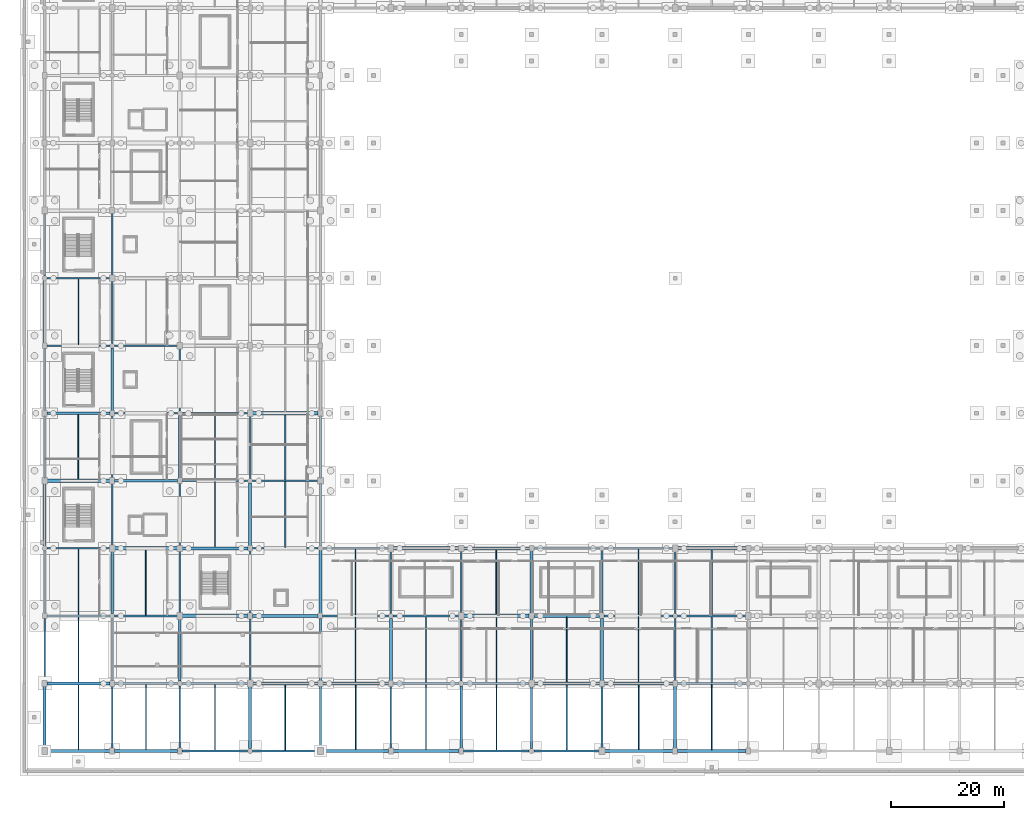
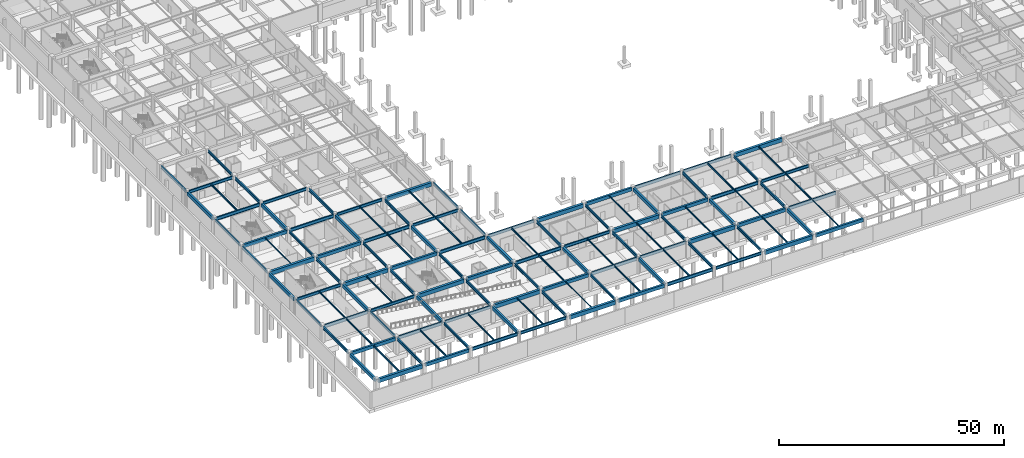
# One storey, part 16 of 56: 127 beams.
"""IFC4 building model written with IfcOpenShell, lengths in metres."""

from ifc_helpers import new_model, si_unit, direction, frame, origin, origin_2d, place, context, subcontext, project, spatial, rectangle, i_section, extrude, material, material_profile, profile_set, type_object, element, save


model = new_model("IFC4")

# Units and contexts
model_context = context("Model", 3, precision=1e-05, world=origin(), true_north=direction((0.0, 1.0)))
body_context = subcontext(model_context, "Body", "Model", "MODEL_VIEW")
ifc_project = project(units=[si_unit("LENGTHUNIT", "METRE"), si_unit("AREAUNIT", "SQUARE_METRE"), si_unit("VOLUMEUNIT", "CUBIC_METRE"), si_unit("PLANEANGLEUNIT", "RADIAN"), si_unit("MASSUNIT", "GRAM", prefix="KILO")], contexts=[model_context])

# Site, building, storey
site_placement = place(None, origin())
site = spatial("IfcSite", under=ifc_project, at=site_placement, CompositionType="ELEMENT")
building_placement = place(site_placement, origin())
building = spatial("IfcBuilding", under=site, at=building_placement, Name="Kazenohara Klinker Stadium", CompositionType="ELEMENT")
storey_placement = place(building_placement, frame((0.0, 0.0, -4.800048828125)))
storey = spatial("IfcBuildingStorey", under=building, at=storey_placement, Name="B01", CompositionType="ELEMENT", Elevation=-4.800048828125)

# Beams
ifc_material_1 = material(Name="Steel S355", Category="steel")
ifc_material_profile_1 = material_profile(ifc_material_1, i_section(OverallWidth=0.199951171875, OverallDepth=0.5, WebThickness=0.010009765625, FlangeThickness=0.01611328125, FilletRadius=0.012939453125, at=origin_2d()), Name="H-500x200x10x16")
ifc_profile_set_1 = profile_set([ifc_material_profile_1], Name="Steel S355")
beam_type_1 = type_object("IfcBeamType", Name="BM-JST01", PredefinedType="JOIST", material=ifc_profile_set_1)
beam_1_placement = place(storey_placement, frame((6.0, 0.300048828125, 4.2099609375), z_axis=(0.0, 1.0, 0.0), x_axis=(-1.0, 0.0, 0.0)))
element("IfcBeam", 1, at=beam_1_placement, inside=storey, type_object=beam_type_1, Name="Secondary floor joist SJ01 B01 1/A", PredefinedType="JOIST", context=body_context, shape_type="SweptSolid", body=[
    extrude(i_section(OverallWidth=0.199951171875, OverallDepth=0.5, WebThickness=0.010009765625, FlangeThickness=0.01611328125, FilletRadius=0.012939453125, at=origin_2d()), origin(), (0.0, 0.0, 1.0), 11.449951171875),
])
for number, where, z_axis, x_axis, name in (
    (2, (30.25, 36.25, 4.2099609375), (0.0, 1.0, 0.0), (-1.0, 0.0, 0.0), "Secondary floor joist SJ01 B01 3/D"),
    (3, (55.25, 12.25, 4.2099609375), (0.0, 1.0, 0.0), (-1.0, 0.0, 0.0), "Secondary floor joist SJ01 B01 5/B"),
    (4, (67.75, 0.25, 4.2099609375), (0.0, 1.0, 0.0), (-1.0, 0.0, 0.0), "Secondary floor joist SJ01 B01 6/A"),
):
    element("IfcBeam", number, at=place(storey_placement, frame(where, z_axis=z_axis, x_axis=x_axis)), inside=storey, type_object=beam_type_1, Name=name, PredefinedType="JOIST", context=body_context, shape_type="SweptSolid", body=[
        extrude(i_section(OverallWidth=0.199951171875, OverallDepth=0.5, WebThickness=0.010009765625, FlangeThickness=0.01611328125, FilletRadius=0.012939453125, at=origin_2d()), origin(), (0.0, 0.0, 1.0), 11.60009765625),
    ])
for number, where, z_axis, x_axis, name in (
    (5, (105.5, 24.14990234375, 4.2099609375), (0.0, 1.0, 0.0), (-1.0, 0.0, 0.0), "Secondary floor joist SJ01 B01 9/C"),
    (6, (118.5, 12.14990234375, 4.2099609375), (0.0, 1.0, 0.0), (-1.0, 0.0, 0.0), "Secondary floor joist SJ01 B01 10/B"),
):
    element("IfcBeam", number, at=place(storey_placement, frame(where, z_axis=z_axis, x_axis=x_axis)), inside=storey, type_object=beam_type_1, Name=name, PredefinedType="JOIST", context=body_context, shape_type="SweptSolid", body=[
        extrude(i_section(OverallWidth=0.199951171875, OverallDepth=0.5, WebThickness=0.010009765625, FlangeThickness=0.01611328125, FilletRadius=0.012939453125, at=origin_2d()), origin(), (0.0, 0.0, 1.0), 11.7001953125),
    ])
ifc_material_profile_2 = material_profile(ifc_material_1, i_section(OverallWidth=0.199951171875, OverallDepth=0.449951171875, WebThickness=0.009033203125, FlangeThickness=0.013916015625, FilletRadius=0.012939453125, at=origin_2d()), Name="H-450x200x9x14")
ifc_profile_set_2 = profile_set([ifc_material_profile_2], Name="Steel S355")
beam_type_2 = type_object("IfcBeamType", Name="BM-JST02", PredefinedType="JOIST", material=ifc_profile_set_2)
beam_2_placement = place(storey_placement, frame((6.0, 12.25, 4.235107421875), z_axis=(0.0, 1.0, 0.0), x_axis=(-1.0, 0.0, 0.0)))
element("IfcBeam", 7, at=beam_2_placement, inside=storey, type_object=beam_type_2, Name="Secondary floor joist SJ02 B01 1/B", PredefinedType="JOIST", context=body_context, shape_type="SweptSolid", body=[
    extrude(i_section(OverallWidth=0.199951171875, OverallDepth=0.449951171875, WebThickness=0.009033203125, FlangeThickness=0.013916015625, FilletRadius=0.012939453125, at=origin_2d()), origin(), (0.0, 0.0, 1.0), 11.60009765625),
])
beam_3_placement = place(storey_placement, frame((6.0, 72.14990234375, 4.235107421875), z_axis=(0.0, 1.0, 0.0), x_axis=(-1.0, 0.0, 0.0)))
element("IfcBeam", 8, at=beam_3_placement, inside=storey, type_object=beam_type_2, Name="Secondary floor joist SJ02 B01 1/G", PredefinedType="JOIST", context=body_context, shape_type="SweptSolid", body=[
    extrude(i_section(OverallWidth=0.199951171875, OverallDepth=0.449951171875, WebThickness=0.009033203125, FlangeThickness=0.013916015625, FilletRadius=0.012939453125, at=origin_2d()), origin(), (0.0, 0.0, 1.0), 11.7001953125),
])
beam_4_placement = place(storey_placement, frame((18.0, 0.25, 4.235107421875), z_axis=(0.0, 1.0, 0.0), x_axis=(-1.0, 0.0, 0.0)))
element("IfcBeam", 9, at=beam_4_placement, inside=storey, type_object=beam_type_2, Name="Secondary floor joist SJ02 B01 2/A", PredefinedType="JOIST", context=body_context, shape_type="SweptSolid", body=[
    extrude(i_section(OverallWidth=0.199951171875, OverallDepth=0.449951171875, WebThickness=0.009033203125, FlangeThickness=0.013916015625, FilletRadius=0.012939453125, at=origin_2d()), origin(), (0.0, 0.0, 1.0), 11.60009765625),
])
for number, where, z_axis, x_axis, name in (
    (10, (30.25, 48.14990234375, 4.235107421875), (0.0, 1.0, 0.0), (-1.0, 0.0, 0.0), "Secondary floor joist SJ02 B01 3/E"),
    (11, (42.75, 36.14990234375, 4.235107421875), (0.0, 1.0, 0.0), (-1.0, 0.0, 0.0), "Secondary floor joist SJ02 B01 4/D"),
    (12, (55.25, 24.14990234375, 4.235107421875), (0.0, 1.0, 0.0), (-1.0, 0.0, 0.0), "Secondary floor joist SJ02 B01 5/C"),
    (13, (67.75, 12.14990234375, 4.235107421875), (0.0, 1.0, 0.0), (-1.0, 0.0, 0.0), "Secondary floor joist SJ02 B01 6/B"),
    (14, (80.25, 0.14990234375, 4.235107421875), (0.0, 1.0, 0.0), (-1.0, 0.0, 0.0), "Secondary floor joist SJ02 B01 7/A"),
):
    element("IfcBeam", number, at=place(storey_placement, frame(where, z_axis=z_axis, x_axis=x_axis)), inside=storey, type_object=beam_type_2, Name=name, PredefinedType="JOIST", context=body_context, shape_type="SweptSolid", body=[
        extrude(i_section(OverallWidth=0.199951171875, OverallDepth=0.449951171875, WebThickness=0.009033203125, FlangeThickness=0.013916015625, FilletRadius=0.012939453125, at=origin_2d()), origin(), (0.0, 0.0, 1.0), 11.7001953125),
    ])
beam_5_placement = place(storey_placement, frame((118.5, 24.14990234375, 4.235107421875), z_axis=(0.0, 1.0, 0.0), x_axis=(-1.0, 0.0, 0.0)))
element("IfcBeam", 15, at=beam_5_placement, inside=storey, type_object=beam_type_2, Name="Secondary floor joist SJ02 B01 10/C", PredefinedType="JOIST", context=body_context, shape_type="SweptSolid", body=[
    extrude(i_section(OverallWidth=0.199951171875, OverallDepth=0.449951171875, WebThickness=0.009033203125, FlangeThickness=0.013916015625, FilletRadius=0.012939453125, at=origin_2d()), origin(), (0.0, 0.0, 1.0), 11.550048828125),
])
ifc_material_profile_3 = material_profile(ifc_material_1, i_section(OverallWidth=0.199951171875, OverallDepth=0.39990234375, WebThickness=0.008056640625, FlangeThickness=0.012939453125, FilletRadius=0.012939453125, at=origin_2d()), Name="H-400x200x8x13")
ifc_profile_set_3 = profile_set([ifc_material_profile_3], Name="Steel S355")
beam_type_3 = type_object("IfcBeamType", Name="BM-JST03", PredefinedType="JOIST", material=ifc_profile_set_3)
for number, where, z_axis, x_axis, name in (
    (16, (6.0, 24.14990234375, 4.260009765625), (0.0, 1.0, 0.0), (-1.0, 0.0, 0.0), "Secondary floor joist SJ03 B01 1/C"),
    (17, (30.25, 0.14990234375, 4.260009765625), (0.0, 1.0, 0.0), (-1.0, 0.0, 0.0), "Secondary floor joist SJ03 B01 3/A"),
):
    element("IfcBeam", number, at=place(storey_placement, frame(where, z_axis=z_axis, x_axis=x_axis)), inside=storey, type_object=beam_type_3, Name=name, PredefinedType="JOIST", context=body_context, shape_type="SweptSolid", body=[
        extrude(i_section(OverallWidth=0.199951171875, OverallDepth=0.39990234375, WebThickness=0.008056640625, FlangeThickness=0.012939453125, FilletRadius=0.012939453125, at=origin_2d()), origin(), (0.0, 0.0, 1.0), 11.7001953125),
    ])
for number, where, z_axis, x_axis, name in (
    (18, (42.75, 48.14990234375, 4.260009765625), (0.0, 1.0, 0.0), (-1.0, 0.0, 0.0), "Secondary floor joist SJ03 B01 4/E"),
    (19, (80.25, 12.14990234375, 4.260009765625), (0.0, 1.0, 0.0), (-1.0, 0.0, 0.0), "Secondary floor joist SJ03 B01 7/B"),
    (20, (92.75, 0.14990234375, 4.260009765625), (0.0, 1.0, 0.0), (-1.0, 0.0, 0.0), "Secondary floor joist SJ03 B01 8/A"),
):
    element("IfcBeam", number, at=place(storey_placement, frame(where, z_axis=z_axis, x_axis=x_axis)), inside=storey, type_object=beam_type_3, Name=name, PredefinedType="JOIST", context=body_context, shape_type="SweptSolid", body=[
        extrude(i_section(OverallWidth=0.199951171875, OverallDepth=0.39990234375, WebThickness=0.008056640625, FlangeThickness=0.012939453125, FilletRadius=0.012939453125, at=origin_2d()), origin(), (0.0, 0.0, 1.0), 11.550048828125),
    ])
ifc_material_profile_4 = material_profile(ifc_material_1, i_section(OverallWidth=0.175048828125, OverallDepth=0.35009765625, WebThickness=0.007080078125, FlangeThickness=0.010986328125, FilletRadius=0.012939453125, at=origin_2d()), Name="H-350x175x7x11")
ifc_profile_set_4 = profile_set([ifc_material_profile_4], Name="Steel S355")
beam_type_4 = type_object("IfcBeamType", Name="BM-JST04", PredefinedType="JOIST", material=ifc_profile_set_4)
for number, where, z_axis, x_axis, name in (
    (21, (18.0, 24.14990234375, 4.28515625), (0.0, 1.0, 0.0), (-1.0, 0.0, 0.0), "Secondary floor joist SJ04 B01 2/C"),
    (22, (42.75, 0.14990234375, 4.28515625), (0.0, 1.0, 0.0), (-1.0, 0.0, 0.0), "Secondary floor joist SJ04 B01 4/A"),
):
    element("IfcBeam", number, at=place(storey_placement, frame(where, z_axis=z_axis, x_axis=x_axis)), inside=storey, type_object=beam_type_4, Name=name, PredefinedType="JOIST", context=body_context, shape_type="SweptSolid", body=[
        extrude(i_section(OverallWidth=0.175048828125, OverallDepth=0.35009765625, WebThickness=0.007080078125, FlangeThickness=0.010986328125, FilletRadius=0.012939453125, at=origin_2d()), origin(), (0.0, 0.0, 1.0), 11.550048828125),
    ])
for number, where, z_axis, x_axis, name in (
    (23, (80.25, 24.300048828125, 4.28515625), (0.0, 1.0, 0.0), (-1.0, 0.0, 0.0), "Secondary floor joist SJ04 B01 7/C"),
    (24, (92.75, 12.300048828125, 4.28515625), (0.0, 1.0, 0.0), (-1.0, 0.0, 0.0), "Secondary floor joist SJ04 B01 8/B"),
    (25, (105.5, 0.300048828125, 4.28515625), (0.0, 1.0, 0.0), (-1.0, 0.0, 0.0), "Secondary floor joist SJ04 B01 9/A"),
):
    element("IfcBeam", number, at=place(storey_placement, frame(where, z_axis=z_axis, x_axis=x_axis)), inside=storey, type_object=beam_type_4, Name=name, PredefinedType="JOIST", context=body_context, shape_type="SweptSolid", body=[
        extrude(i_section(OverallWidth=0.175048828125, OverallDepth=0.35009765625, WebThickness=0.007080078125, FlangeThickness=0.010986328125, FilletRadius=0.012939453125, at=origin_2d()), origin(), (0.0, 0.0, 1.0), 11.449951171875),
    ])
ifc_material_profile_5 = material_profile(ifc_material_1, i_section(OverallWidth=0.14990234375, OverallDepth=0.300048828125, WebThickness=0.006591796875, FlangeThickness=0.009033203125, FilletRadius=0.012939453125, at=origin_2d()), Name="H-300x150x6.5x9")
ifc_profile_set_5 = profile_set([ifc_material_profile_5], Name="Steel S355")
beam_type_5 = type_object("IfcBeamType", Name="BM-JST05", PredefinedType="JOIST", material=ifc_profile_set_5)
for number, where, z_axis, x_axis, name in (
    (26, (6.0, 48.300048828125, 4.31005859375), (0.0, 1.0, 0.0), (-1.0, 0.0, 0.0), "Secondary floor joist SJ05 B01 1/E"),
    (27, (55.25, 0.300048828125, 4.31005859375), (0.0, 1.0, 0.0), (-1.0, 0.0, 0.0), "Secondary floor joist SJ05 B01 5/A"),
):
    element("IfcBeam", number, at=place(storey_placement, frame(where, z_axis=z_axis, x_axis=x_axis)), inside=storey, type_object=beam_type_5, Name=name, PredefinedType="JOIST", context=body_context, shape_type="SweptSolid", body=[
        extrude(i_section(OverallWidth=0.14990234375, OverallDepth=0.300048828125, WebThickness=0.006591796875, FlangeThickness=0.009033203125, FilletRadius=0.012939453125, at=origin_2d()), origin(), (0.0, 0.0, 1.0), 11.449951171875),
    ])
for number, where, z_axis, x_axis, name in (
    (28, (105.5, 12.25, 4.31005859375), (0.0, 1.0, 0.0), (-1.0, 0.0, 0.0), "Secondary floor joist SJ05 B01 9/B"),
    (29, (118.5, 0.25, 4.31005859375), (0.0, 1.0, 0.0), (-1.0, 0.0, 0.0), "Secondary floor joist SJ05 B01 10/A"),
):
    element("IfcBeam", number, at=place(storey_placement, frame(where, z_axis=z_axis, x_axis=x_axis)), inside=storey, type_object=beam_type_5, Name=name, PredefinedType="JOIST", context=body_context, shape_type="SweptSolid", body=[
        extrude(i_section(OverallWidth=0.14990234375, OverallDepth=0.300048828125, WebThickness=0.006591796875, FlangeThickness=0.009033203125, FilletRadius=0.012939453125, at=origin_2d()), origin(), (0.0, 0.0, 1.0), 11.60009765625),
    ])
ifc_material_2 = material(Name="Concrete C40/50", Category="concrete")
ifc_material_profile_6 = material_profile(ifc_material_2, rectangle(XDim=0.60009765625, YDim=1.050048828125, at=origin_2d()), Name="RC-BM-600x1050")
ifc_profile_set_6 = profile_set([ifc_material_profile_6], Name="Concrete C40/50")
beam_type_6 = type_object("IfcBeamType", Name="BM-RC01", PredefinedType="BEAM", material=ifc_profile_set_6)
for number, where, z_axis, x_axis, name in (
    (30, (0.419921875, 0.0, 3.93505859375), (1.0, 0.0, 0.0), (0.0, 1.0, 0.0), "Primary girder BG01 B01 1-2/A"),
    (31, (0.419921875, 48.0, 3.93505859375), (1.0, 0.0, 0.0), (0.0, 1.0, 0.0), "Primary girder BG01 B01 1-2/E"),
    (32, (12.419921875, 36.0, 3.93505859375), (1.0, 0.0, 0.0), (0.0, 1.0, 0.0), "Primary girder BG01 B01 2-3/D"),
):
    element("IfcBeam", number, at=place(storey_placement, frame(where, z_axis=z_axis, x_axis=x_axis)), inside=storey, type_object=beam_type_6, Name=name, PredefinedType="BEAM", context=body_context, shape_type="SweptSolid", body=[
        extrude(rectangle(XDim=0.60009765625, YDim=1.050048828125, at=origin_2d()), origin(), (0.0, 0.0, 1.0), 11.16015625),
    ])
for number, where, z_axis, x_axis, name in (
    (33, (24.419921875, 24.0, 3.93505859375), (1.0, 0.0, 0.0), (0.0, 1.0, 0.0), "Primary girder BG01 B01 3-4/C"),
    (34, (36.919921875, 12.0, 3.93505859375), (1.0, 0.0, 0.0), (0.0, 1.0, 0.0), "Primary girder BG01 B01 4-5/B"),
    (35, (36.919921875, 60.0, 3.93505859375), (1.0, 0.0, 0.0), (0.0, 1.0, 0.0), "Primary girder BG01 B01 4-5/F"),
    (36, (49.419921875, 0.0, 3.93505859375), (1.0, 0.0, 0.0), (0.0, 1.0, 0.0), "Primary girder BG01 B01 5-6/A"),
    (37, (61.919921875, 36.0, 3.93505859375), (1.0, 0.0, 0.0), (0.0, 1.0, 0.0), "Primary girder BG01 B01 6-7/D"),
    (38, (74.419921875, 24.0, 3.93505859375), (1.0, 0.0, 0.0), (0.0, 1.0, 0.0), "Primary girder BG01 B01 7-8/C"),
    (39, (86.919921875, 12.0, 3.93505859375), (1.0, 0.0, 0.0), (0.0, 1.0, 0.0), "Primary girder BG01 B01 8-9/B"),
):
    element("IfcBeam", number, at=place(storey_placement, frame(where, z_axis=z_axis, x_axis=x_axis)), inside=storey, type_object=beam_type_6, Name=name, PredefinedType="BEAM", context=body_context, shape_type="SweptSolid", body=[
        extrude(rectangle(XDim=0.60009765625, YDim=1.050048828125, at=origin_2d()), origin(), (0.0, 0.0, 1.0), 11.66015625),
    ])
for number, where, z_axis, x_axis, name in (
    (40, (99.419921875, 0.0, 3.93505859375), (1.0, 0.0, 0.0), (0.0, 1.0, 0.0), "Primary girder BG01 B01 9-10/A"),
    (41, (112.419921875, 36.0, 3.93505859375), (1.0, 0.0, 0.0), (0.0, 1.0, 0.0), "Primary girder BG01 B01 10-11/D"),
):
    element("IfcBeam", number, at=place(storey_placement, frame(where, z_axis=z_axis, x_axis=x_axis)), inside=storey, type_object=beam_type_6, Name=name, PredefinedType="BEAM", context=body_context, shape_type="SweptSolid", body=[
        extrude(rectangle(XDim=0.60009765625, YDim=1.050048828125, at=origin_2d()), origin(), (0.0, 0.0, 1.0), 12.16015625),
    ])
ifc_material_profile_7 = material_profile(ifc_material_2, rectangle(XDim=0.5, YDim=0.89990234375, at=origin_2d()), Name="RC-BM-500x900")
ifc_profile_set_7 = profile_set([ifc_material_profile_7], Name="Concrete C40/50")
beam_type_7 = type_object("IfcBeamType", Name="BM-RC02", PredefinedType="BEAM", material=ifc_profile_set_7)
for number, where, z_axis, x_axis, name in (
    (42, (0.419921875, 12.0, 4.010009765625), (1.0, 0.0, 0.0), (0.0, 1.0, 0.0), "Primary girder BG02 B01 1-2/B"),
    (43, (0.419921875, 60.0, 4.010009765625), (1.0, 0.0, 0.0), (0.0, 1.0, 0.0), "Primary girder BG02 B01 1-2/F"),
    (44, (12.419921875, 0.0, 4.010009765625), (1.0, 0.0, 0.0), (0.0, 1.0, 0.0), "Primary girder BG02 B01 2-3/A"),
    (45, (12.419921875, 48.0, 4.010009765625), (1.0, 0.0, 0.0), (0.0, 1.0, 0.0), "Primary girder BG02 B01 2-3/E"),
):
    element("IfcBeam", number, at=place(storey_placement, frame(where, z_axis=z_axis, x_axis=x_axis)), inside=storey, type_object=beam_type_7, Name=name, PredefinedType="BEAM", context=body_context, shape_type="SweptSolid", body=[
        extrude(rectangle(XDim=0.5, YDim=0.89990234375, at=origin_2d()), origin(), (0.0, 0.0, 1.0), 11.18017578125),
    ])
for number, where, z_axis, x_axis, name in (
    (46, (24.419921875, 36.0, 4.010009765625), (1.0, 0.0, 0.0), (0.0, 1.0, 0.0), "Primary girder BG02 B01 3-4/D"),
    (47, (36.919921875, 24.0, 4.010009765625), (1.0, 0.0, 0.0), (0.0, 1.0, 0.0), "Primary girder BG02 B01 4-5/C"),
    (48, (49.419921875, 12.0, 4.010009765625), (1.0, 0.0, 0.0), (0.0, 1.0, 0.0), "Primary girder BG02 B01 5-6/B"),
    (49, (61.919921875, 0.0, 4.010009765625), (1.0, 0.0, 0.0), (0.0, 1.0, 0.0), "Primary girder BG02 B01 6-7/A"),
    (50, (74.419921875, 36.0, 4.010009765625), (1.0, 0.0, 0.0), (0.0, 1.0, 0.0), "Primary girder BG02 B01 7-8/D"),
    (51, (86.919921875, 24.0, 4.010009765625), (1.0, 0.0, 0.0), (0.0, 1.0, 0.0), "Primary girder BG02 B01 8-9/C"),
):
    element("IfcBeam", number, at=place(storey_placement, frame(where, z_axis=z_axis, x_axis=x_axis)), inside=storey, type_object=beam_type_7, Name=name, PredefinedType="BEAM", context=body_context, shape_type="SweptSolid", body=[
        extrude(rectangle(XDim=0.5, YDim=0.89990234375, at=origin_2d()), origin(), (0.0, 0.0, 1.0), 11.68017578125),
    ])
for number, where, z_axis, x_axis, name in (
    (52, (99.419921875, 12.0, 4.010009765625), (1.0, 0.0, 0.0), (0.0, 1.0, 0.0), "Primary girder BG02 B01 9-10/B"),
    (53, (112.419921875, 0.0, 4.010009765625), (1.0, 0.0, 0.0), (0.0, 1.0, 0.0), "Primary girder BG02 B01 10-11/A"),
):
    element("IfcBeam", number, at=place(storey_placement, frame(where, z_axis=z_axis, x_axis=x_axis)), inside=storey, type_object=beam_type_7, Name=name, PredefinedType="BEAM", context=body_context, shape_type="SweptSolid", body=[
        extrude(rectangle(XDim=0.5, YDim=0.89990234375, at=origin_2d()), origin(), (0.0, 0.0, 1.0), 12.18017578125),
    ])
for number, where, z_axis, x_axis, name in (
    (54, (0.0, 0.419921875, 4.010009765625), (0.0, 1.0, 0.0), (-1.0, 0.0, 0.0), "Primary girder BG02 B01 1/A-B"),
    (55, (0.0, 36.419921875, 4.010009765625), (0.0, 1.0, 0.0), (-1.0, 0.0, 0.0), "Primary girder BG02 B01 1/D-E"),
    (56, (0.0, 72.419921875, 4.010009765625), (0.0, 1.0, 0.0), (-1.0, 0.0, 0.0), "Primary girder BG02 B01 1/G-H"),
    (57, (12.0, 24.419921875, 4.010009765625), (0.0, 1.0, 0.0), (-1.0, 0.0, 0.0), "Primary girder BG02 B01 2/C-D"),
    (58, (12.0, 60.419921875, 4.010009765625), (0.0, 1.0, 0.0), (-1.0, 0.0, 0.0), "Primary girder BG02 B01 2/F-G"),
    (59, (24.0, 12.419921875, 4.010009765625), (0.0, 1.0, 0.0), (-1.0, 0.0, 0.0), "Primary girder BG02 B01 3/B-C"),
    (60, (24.0, 48.419921875, 4.010009765625), (0.0, 1.0, 0.0), (-1.0, 0.0, 0.0), "Primary girder BG02 B01 3/E-F"),
    (61, (36.5, 0.419921875, 4.010009765625), (0.0, 1.0, 0.0), (-1.0, 0.0, 0.0), "Primary girder BG02 B01 4/A-B"),
    (62, (36.5, 36.419921875, 4.010009765625), (0.0, 1.0, 0.0), (-1.0, 0.0, 0.0), "Primary girder BG02 B01 4/D-E"),
    (63, (49.0, 24.419921875, 4.010009765625), (0.0, 1.0, 0.0), (-1.0, 0.0, 0.0), "Primary girder BG02 B01 5/C-D"),
    (64, (61.5, 12.419921875, 4.010009765625), (0.0, 1.0, 0.0), (-1.0, 0.0, 0.0), "Primary girder BG02 B01 6/B-C"),
    (65, (74.0, 0.419921875, 4.010009765625), (0.0, 1.0, 0.0), (-1.0, 0.0, 0.0), "Primary girder BG02 B01 7/A-B"),
    (66, (86.5, 24.419921875, 4.010009765625), (0.0, 1.0, 0.0), (-1.0, 0.0, 0.0), "Primary girder BG02 B01 8/C-D"),
    (67, (99.0, 12.419921875, 4.010009765625), (0.0, 1.0, 0.0), (-1.0, 0.0, 0.0), "Primary girder BG02 B01 9/B-C"),
    (68, (112.0, 0.419921875, 4.010009765625), (0.0, 1.0, 0.0), (-1.0, 0.0, 0.0), "Primary girder BG02 B01 10/A-B"),
):
    element("IfcBeam", number, at=place(storey_placement, frame(where, z_axis=z_axis, x_axis=x_axis)), inside=storey, type_object=beam_type_7, Name=name, PredefinedType="BEAM", context=body_context, shape_type="SweptSolid", body=[
        extrude(rectangle(XDim=0.5, YDim=0.89990234375, at=origin_2d()), origin(), (0.0, 0.0, 1.0), 11.16015625),
    ])
ifc_material_profile_8 = material_profile(ifc_material_1, i_section(OverallWidth=0.300048828125, OverallDepth=0.89990234375, WebThickness=0.01611328125, FlangeThickness=0.028076171875, FilletRadius=0.02197265625, at=origin_2d()), Name="H-900x300x16x28")
ifc_profile_set_8 = profile_set([ifc_material_profile_8], Name="Steel S355")
beam_type_8 = type_object("IfcBeamType", Name="BM-ST01", PredefinedType="BEAM", material=ifc_profile_set_8)
for number, where, z_axis, x_axis, name in (
    (69, (0.39990234375, 24.0, 4.010009765625), (1.0, 0.0, 0.0), (0.0, 1.0, 0.0), "Primary girder SB01 B01 1-2/C"),
    (70, (0.39990234375, 72.0, 4.010009765625), (1.0, 0.0, 0.0), (0.0, 1.0, 0.0), "Primary girder SB01 B01 1-2/G"),
    (71, (12.39990234375, 12.0, 4.010009765625), (1.0, 0.0, 0.0), (0.0, 1.0, 0.0), "Primary girder SB01 B01 2-3/B"),
    (72, (12.39990234375, 60.0, 4.010009765625), (1.0, 0.0, 0.0), (0.0, 1.0, 0.0), "Primary girder SB01 B01 2-3/F"),
):
    element("IfcBeam", number, at=place(storey_placement, frame(where, z_axis=z_axis, x_axis=x_axis)), inside=storey, type_object=beam_type_8, Name=name, PredefinedType="BEAM", context=body_context, shape_type="SweptSolid", body=[
        extrude(i_section(OverallWidth=0.300048828125, OverallDepth=0.89990234375, WebThickness=0.01611328125, FlangeThickness=0.028076171875, FilletRadius=0.02197265625, at=origin_2d()), origin(), (0.0, 0.0, 1.0), 11.18017578125),
    ])
for number, where, z_axis, x_axis, name in (
    (73, (24.39990234375, 0.0, 4.010009765625), (1.0, 0.0, 0.0), (0.0, 1.0, 0.0), "Primary girder SB01 B01 3-4/A"),
    (74, (24.39990234375, 48.0, 4.010009765625), (1.0, 0.0, 0.0), (0.0, 1.0, 0.0), "Primary girder SB01 B01 3-4/E"),
    (75, (36.89990234375, 36.0, 4.010009765625), (1.0, 0.0, 0.0), (0.0, 1.0, 0.0), "Primary girder SB01 B01 4-5/D"),
    (76, (49.39990234375, 24.0, 4.010009765625), (1.0, 0.0, 0.0), (0.0, 1.0, 0.0), "Primary girder SB01 B01 5-6/C"),
    (77, (61.89990234375, 12.0, 4.010009765625), (1.0, 0.0, 0.0), (0.0, 1.0, 0.0), "Primary girder SB01 B01 6-7/B"),
    (78, (74.39990234375, 0.0, 4.010009765625), (1.0, 0.0, 0.0), (0.0, 1.0, 0.0), "Primary girder SB01 B01 7-8/A"),
    (79, (86.89990234375, 36.0, 4.010009765625), (1.0, 0.0, 0.0), (0.0, 1.0, 0.0), "Primary girder SB01 B01 8-9/D"),
):
    element("IfcBeam", number, at=place(storey_placement, frame(where, z_axis=z_axis, x_axis=x_axis)), inside=storey, type_object=beam_type_8, Name=name, PredefinedType="BEAM", context=body_context, shape_type="SweptSolid", body=[
        extrude(i_section(OverallWidth=0.300048828125, OverallDepth=0.89990234375, WebThickness=0.01611328125, FlangeThickness=0.028076171875, FilletRadius=0.02197265625, at=origin_2d()), origin(), (0.0, 0.0, 1.0), 11.68017578125),
    ])
for number, where, z_axis, x_axis, name in (
    (80, (99.39990234375, 24.0, 4.010009765625), (1.0, 0.0, 0.0), (0.0, 1.0, 0.0), "Primary girder SB01 B01 9-10/C"),
    (81, (112.39990234375, 12.0, 4.010009765625), (1.0, 0.0, 0.0), (0.0, 1.0, 0.0), "Primary girder SB01 B01 10-11/B"),
):
    element("IfcBeam", number, at=place(storey_placement, frame(where, z_axis=z_axis, x_axis=x_axis)), inside=storey, type_object=beam_type_8, Name=name, PredefinedType="BEAM", context=body_context, shape_type="SweptSolid", body=[
        extrude(i_section(OverallWidth=0.300048828125, OverallDepth=0.89990234375, WebThickness=0.01611328125, FlangeThickness=0.028076171875, FilletRadius=0.02197265625, at=origin_2d()), origin(), (0.0, 0.0, 1.0), 12.18017578125),
    ])
ifc_material_profile_9 = material_profile(ifc_material_1, i_section(OverallWidth=0.300048828125, OverallDepth=0.800048828125, WebThickness=0.013916015625, FlangeThickness=0.02587890625, FilletRadius=0.02197265625, at=origin_2d()), Name="H-800x300x14x26")
ifc_profile_set_9 = profile_set([ifc_material_profile_9], Name="Steel S355")
beam_type_9 = type_object("IfcBeamType", Name="BM-ST02", PredefinedType="BEAM", material=ifc_profile_set_9)
for number, where, z_axis, x_axis, name in (
    (82, (0.419921875, 36.0, 4.06005859375), (1.0, 0.0, 0.0), (0.0, 1.0, 0.0), "Primary girder SB02 B01 1-2/D"),
    (83, (0.419921875, 84.0, 4.06005859375), (1.0, 0.0, 0.0), (0.0, 1.0, 0.0), "Primary girder SB02 B01 1-2/H"),
    (84, (12.419921875, 24.0, 4.06005859375), (1.0, 0.0, 0.0), (0.0, 1.0, 0.0), "Primary girder SB02 B01 2-3/C"),
    (85, (12.419921875, 72.0, 4.06005859375), (1.0, 0.0, 0.0), (0.0, 1.0, 0.0), "Primary girder SB02 B01 2-3/G"),
):
    element("IfcBeam", number, at=place(storey_placement, frame(where, z_axis=z_axis, x_axis=x_axis)), inside=storey, type_object=beam_type_9, Name=name, PredefinedType="BEAM", context=body_context, shape_type="SweptSolid", body=[
        extrude(i_section(OverallWidth=0.300048828125, OverallDepth=0.800048828125, WebThickness=0.013916015625, FlangeThickness=0.02587890625, FilletRadius=0.02197265625, at=origin_2d()), origin(), (0.0, 0.0, 1.0), 11.16015625),
    ])
for number, where, z_axis, x_axis, name in (
    (86, (24.419921875, 12.0, 4.06005859375), (1.0, 0.0, 0.0), (0.0, 1.0, 0.0), "Primary girder SB02 B01 3-4/B"),
    (87, (24.419921875, 60.0, 4.06005859375), (1.0, 0.0, 0.0), (0.0, 1.0, 0.0), "Primary girder SB02 B01 3-4/F"),
    (88, (36.919921875, 0.0, 4.06005859375), (1.0, 0.0, 0.0), (0.0, 1.0, 0.0), "Primary girder SB02 B01 4-5/A"),
    (89, (36.919921875, 48.0, 4.06005859375), (1.0, 0.0, 0.0), (0.0, 1.0, 0.0), "Primary girder SB02 B01 4-5/E"),
    (90, (49.419921875, 36.0, 4.06005859375), (1.0, 0.0, 0.0), (0.0, 1.0, 0.0), "Primary girder SB02 B01 5-6/D"),
    (91, (61.919921875, 24.0, 4.06005859375), (1.0, 0.0, 0.0), (0.0, 1.0, 0.0), "Primary girder SB02 B01 6-7/C"),
    (92, (74.419921875, 12.0, 4.06005859375), (1.0, 0.0, 0.0), (0.0, 1.0, 0.0), "Primary girder SB02 B01 7-8/B"),
    (93, (86.919921875, 0.0, 4.06005859375), (1.0, 0.0, 0.0), (0.0, 1.0, 0.0), "Primary girder SB02 B01 8-9/A"),
):
    element("IfcBeam", number, at=place(storey_placement, frame(where, z_axis=z_axis, x_axis=x_axis)), inside=storey, type_object=beam_type_9, Name=name, PredefinedType="BEAM", context=body_context, shape_type="SweptSolid", body=[
        extrude(i_section(OverallWidth=0.300048828125, OverallDepth=0.800048828125, WebThickness=0.013916015625, FlangeThickness=0.02587890625, FilletRadius=0.02197265625, at=origin_2d()), origin(), (0.0, 0.0, 1.0), 11.66015625),
    ])
for number, where, z_axis, x_axis, name in (
    (94, (99.419921875, 36.0, 4.06005859375), (1.0, 0.0, 0.0), (0.0, 1.0, 0.0), "Primary girder SB02 B01 9-10/D"),
    (95, (112.419921875, 24.0, 4.06005859375), (1.0, 0.0, 0.0), (0.0, 1.0, 0.0), "Primary girder SB02 B01 10-11/C"),
):
    element("IfcBeam", number, at=place(storey_placement, frame(where, z_axis=z_axis, x_axis=x_axis)), inside=storey, type_object=beam_type_9, Name=name, PredefinedType="BEAM", context=body_context, shape_type="SweptSolid", body=[
        extrude(i_section(OverallWidth=0.300048828125, OverallDepth=0.800048828125, WebThickness=0.013916015625, FlangeThickness=0.02587890625, FilletRadius=0.02197265625, at=origin_2d()), origin(), (0.0, 0.0, 1.0), 12.16015625),
    ])
for number, where, z_axis, x_axis, name in (
    (96, (0.0, 12.419921875, 4.06005859375), (0.0, 1.0, 0.0), (-1.0, 0.0, 0.0), "Primary girder SB02 B01 1/B-C"),
    (97, (0.0, 48.419921875, 4.06005859375), (0.0, 1.0, 0.0), (-1.0, 0.0, 0.0), "Primary girder SB02 B01 1/E-F"),
    (98, (0.0, 84.419921875, 4.06005859375), (0.0, 1.0, 0.0), (-1.0, 0.0, 0.0), "Primary girder SB02 B01 1/H-J"),
    (99, (12.0, 0.419921875, 4.06005859375), (0.0, 1.0, 0.0), (-1.0, 0.0, 0.0), "Primary girder SB02 B01 2/A-B"),
    (100, (12.0, 36.419921875, 4.06005859375), (0.0, 1.0, 0.0), (-1.0, 0.0, 0.0), "Primary girder SB02 B01 2/D-E"),
    (101, (12.0, 72.419921875, 4.06005859375), (0.0, 1.0, 0.0), (-1.0, 0.0, 0.0), "Primary girder SB02 B01 2/G-H"),
    (102, (24.0, 24.419921875, 4.06005859375), (0.0, 1.0, 0.0), (-1.0, 0.0, 0.0), "Primary girder SB02 B01 3/C-D"),
    (103, (24.0, 60.419921875, 4.06005859375), (0.0, 1.0, 0.0), (-1.0, 0.0, 0.0), "Primary girder SB02 B01 3/F-G"),
    (104, (36.5, 12.419921875, 4.06005859375), (0.0, 1.0, 0.0), (-1.0, 0.0, 0.0), "Primary girder SB02 B01 4/B-C"),
    (105, (36.5, 48.419921875, 4.06005859375), (0.0, 1.0, 0.0), (-1.0, 0.0, 0.0), "Primary girder SB02 B01 4/E-F"),
    (106, (49.0, 0.419921875, 4.06005859375), (0.0, 1.0, 0.0), (-1.0, 0.0, 0.0), "Primary girder SB02 B01 5/A-B"),
    (107, (49.0, 36.419921875, 4.06005859375), (0.0, 1.0, 0.0), (-1.0, 0.0, 0.0), "Primary girder SB02 B01 5/D-E"),
    (108, (61.5, 24.419921875, 4.06005859375), (0.0, 1.0, 0.0), (-1.0, 0.0, 0.0), "Primary girder SB02 B01 6/C-D"),
    (109, (74.0, 12.419921875, 4.06005859375), (0.0, 1.0, 0.0), (-1.0, 0.0, 0.0), "Primary girder SB02 B01 7/B-C"),
    (110, (86.5, 0.419921875, 4.06005859375), (0.0, 1.0, 0.0), (-1.0, 0.0, 0.0), "Primary girder SB02 B01 8/A-B"),
    (111, (99.0, 24.419921875, 4.06005859375), (0.0, 1.0, 0.0), (-1.0, 0.0, 0.0), "Primary girder SB02 B01 9/C-D"),
    (112, (112.0, 12.419921875, 4.06005859375), (0.0, 1.0, 0.0), (-1.0, 0.0, 0.0), "Primary girder SB02 B01 10/B-C"),
):
    element("IfcBeam", number, at=place(storey_placement, frame(where, z_axis=z_axis, x_axis=x_axis)), inside=storey, type_object=beam_type_9, Name=name, PredefinedType="BEAM", context=body_context, shape_type="SweptSolid", body=[
        extrude(i_section(OverallWidth=0.300048828125, OverallDepth=0.800048828125, WebThickness=0.013916015625, FlangeThickness=0.02587890625, FilletRadius=0.02197265625, at=origin_2d()), origin(), (0.0, 0.0, 1.0), 11.16015625),
    ])
ifc_material_profile_10 = material_profile(ifc_material_1, i_section(OverallWidth=0.300048828125, OverallDepth=0.699951171875, WebThickness=0.012939453125, FlangeThickness=0.02392578125, FilletRadius=0.02197265625, at=origin_2d()), Name="H-700x300x13x24")
ifc_profile_set_10 = profile_set([ifc_material_profile_10], Name="Steel S355")
beam_type_10 = type_object("IfcBeamType", Name="BM-ST03", PredefinedType="BEAM", material=ifc_profile_set_10)
for number, where, z_axis, x_axis, name in (
    (113, (0.0, 24.419921875, 4.110107421875), (0.0, 1.0, 0.0), (-1.0, 0.0, 0.0), "Primary girder SB03 B01 1/C-D"),
    (114, (0.0, 60.419921875, 4.110107421875), (0.0, 1.0, 0.0), (-1.0, 0.0, 0.0), "Primary girder SB03 B01 1/F-G"),
    (115, (12.0, 12.419921875, 4.110107421875), (0.0, 1.0, 0.0), (-1.0, 0.0, 0.0), "Primary girder SB03 B01 2/B-C"),
    (116, (12.0, 48.419921875, 4.110107421875), (0.0, 1.0, 0.0), (-1.0, 0.0, 0.0), "Primary girder SB03 B01 2/E-F"),
    (117, (12.0, 84.419921875, 4.110107421875), (0.0, 1.0, 0.0), (-1.0, 0.0, 0.0), "Primary girder SB03 B01 2/H-J"),
    (118, (24.0, 0.419921875, 4.110107421875), (0.0, 1.0, 0.0), (-1.0, 0.0, 0.0), "Primary girder SB03 B01 3/A-B"),
    (119, (24.0, 36.419921875, 4.110107421875), (0.0, 1.0, 0.0), (-1.0, 0.0, 0.0), "Primary girder SB03 B01 3/D-E"),
    (120, (36.5, 24.419921875, 4.110107421875), (0.0, 1.0, 0.0), (-1.0, 0.0, 0.0), "Primary girder SB03 B01 4/C-D"),
    (121, (49.0, 12.419921875, 4.110107421875), (0.0, 1.0, 0.0), (-1.0, 0.0, 0.0), "Primary girder SB03 B01 5/B-C"),
    (122, (49.0, 48.419921875, 4.110107421875), (0.0, 1.0, 0.0), (-1.0, 0.0, 0.0), "Primary girder SB03 B01 5/E-F"),
    (123, (61.5, 0.419921875, 4.110107421875), (0.0, 1.0, 0.0), (-1.0, 0.0, 0.0), "Primary girder SB03 B01 6/A-B"),
    (124, (74.0, 24.419921875, 4.110107421875), (0.0, 1.0, 0.0), (-1.0, 0.0, 0.0), "Primary girder SB03 B01 7/C-D"),
    (125, (86.5, 12.419921875, 4.110107421875), (0.0, 1.0, 0.0), (-1.0, 0.0, 0.0), "Primary girder SB03 B01 8/B-C"),
    (126, (99.0, 0.419921875, 4.110107421875), (0.0, 1.0, 0.0), (-1.0, 0.0, 0.0), "Primary girder SB03 B01 9/A-B"),
    (127, (112.0, 24.419921875, 4.110107421875), (0.0, 1.0, 0.0), (-1.0, 0.0, 0.0), "Primary girder SB03 B01 10/C-D"),
):
    element("IfcBeam", number, at=place(storey_placement, frame(where, z_axis=z_axis, x_axis=x_axis)), inside=storey, type_object=beam_type_10, Name=name, PredefinedType="BEAM", context=body_context, shape_type="SweptSolid", body=[
        extrude(i_section(OverallWidth=0.300048828125, OverallDepth=0.699951171875, WebThickness=0.012939453125, FlangeThickness=0.02392578125, FilletRadius=0.02197265625, at=origin_2d()), origin(), (0.0, 0.0, 1.0), 11.16015625),
    ])

save(model, "model.ifc")
